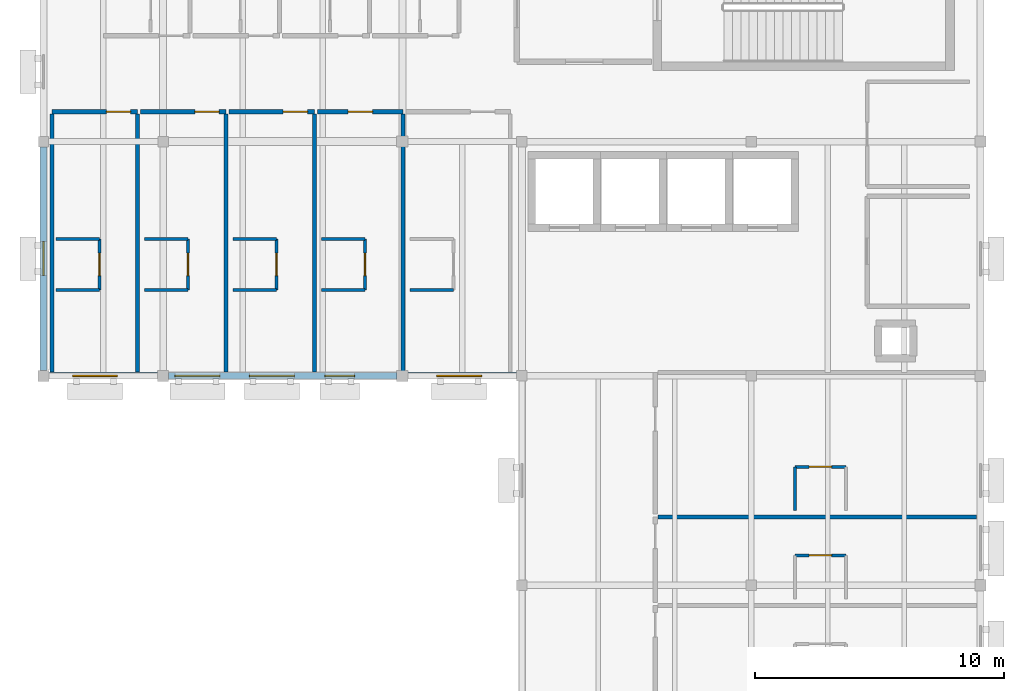
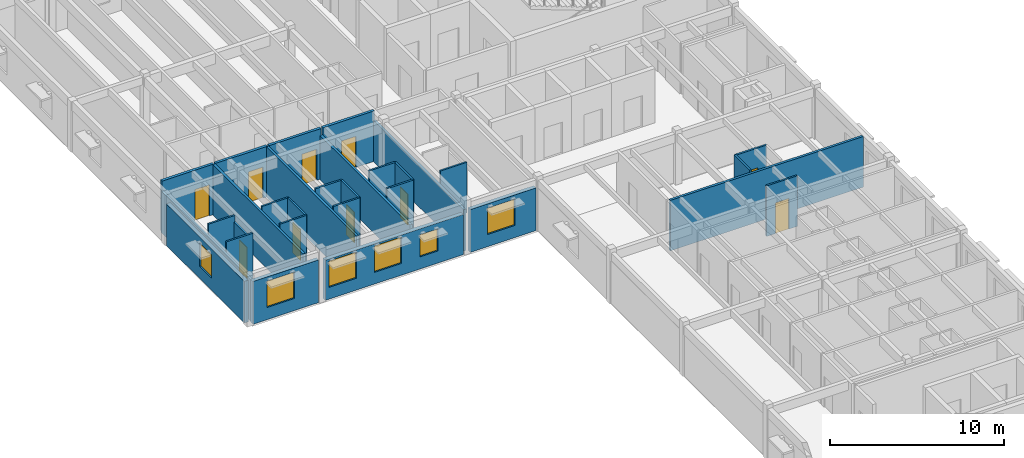
# One storey, part 7 of 14: 30 walls, 10 doors, 6 windows, 16 openings.
"""IFC4 building model written with IfcOpenShell, lengths in metres."""

from ifc_helpers import new_model, si_unit, direction, frame, frame_2d, origin, place, context, subcontext, project, spatial, rectangle, extrude, material, layer, layer_set, type_object, element, fill, save


model = new_model("IFC4")

# Units and contexts
model_context = context("Model", 3, precision=1e-05, world=origin(), true_north=direction((0.0, 1.0)))
body_context = subcontext(model_context, "Body", "Model", "MODEL_VIEW")
ifc_project = project(units=[si_unit("LENGTHUNIT", "METRE"), si_unit("AREAUNIT", "SQUARE_METRE"), si_unit("VOLUMEUNIT", "CUBIC_METRE"), si_unit("PLANEANGLEUNIT", "RADIAN"), si_unit("MASSUNIT", "GRAM", prefix="KILO")], contexts=[model_context])

# Site, building, storey
site_placement = place(None, origin())
site = spatial("IfcSite", under=ifc_project, at=site_placement, CompositionType="ELEMENT")
building_placement = place(site_placement, origin())
building = spatial("IfcBuilding", under=site, at=building_placement, Name="Veldera Park Congress Hotel", CompositionType="ELEMENT")
storey_placement = place(building_placement, frame((0.0, 0.0, 42.800048828125)))
storey = spatial("IfcBuildingStorey", under=building, at=storey_placement, Name="L10", CompositionType="ELEMENT", Elevation=42.800048828125)

# Wall, opening, window
ifc_material_1 = material(Name="Cross-laminated timber CLT V2M1.1", Category="wood")
ifc_layer_1 = layer(ifc_material_1, 0.264892578125)
ifc_layer_set_1 = layer_set([ifc_layer_1], Name="Cross-laminated timber CLT V2M1.1")
wall_type_1 = type_object("IfcWallType", Name="EW-CLT265", PredefinedType="STANDARD", material=ifc_layer_set_1)
wall_1_placement = place(storey_placement, frame((46.39990234375, 36.19189453125, 0.0), z_axis=(0.0, 0.0, 1.0), x_axis=(0.0, -1.0, 0.0)))
wall_1 = element("IfcWall", 1, at=wall_1_placement, inside=storey, type_object=wall_type_1, Name="L10 Exterior Wall EW3-L10-0439", PredefinedType="STANDARD", context=body_context, shape_type="SweptSolid", body=[
    extrude(rectangle(XDim=8.968994140625, YDim=0.264892578125, at=frame_2d((4.484375, 0.0))), origin(), (0.0, 0.0, 1.0), 2.9150390625),
])
opening_1_placement = place(wall_1_placement, frame((3.8095703125, 0.0, 0.85009765625)))
opening_1 = element("IfcOpeningElement", 2, at=opening_1_placement, cuts=wall_1, Name="Opening WIN-1350", PredefinedType="OPENING", context=body_context, shape_type="SweptSolid", body=[
    extrude(rectangle(XDim=1.35009765625, YDim=1.64990234375, at=frame_2d((0.675048828125, 0.824951171875))), frame((0.0, 0.14453125, 0.0), z_axis=(0.0, -1.0, 0.0), x_axis=(1.0, 0.0, 0.0)), (0.0, 0.0, 1.0), 0.288818359375),
])
ifc_material_2 = material(Name="Low-E Triple Insulating Glass Unit (SHGC 0.22)", Category="glass")
window_type_1 = type_object("IfcWindowType", Name="WIN-1350", PartitioningType="SINGLE_PANEL", PredefinedType="WINDOW", material=ifc_material_2)
window_1_placement = place(opening_1_placement, origin())
window_1 = element("IfcWindow", 3, at=window_1_placement, inside=storey, type_object=window_type_1, Name="L10 Window WIN-1350 337", OverallHeight=1.64990234375, OverallWidth=1.35009765625, PartitioningType="SINGLE_PANEL", PredefinedType="WINDOW", context=body_context, shape_type="SweptSolid", body=[
    extrude(rectangle(XDim=1.35009765625, YDim=1.64990234375, at=frame_2d((0.675048828125, 0.824951171875))), frame((0.0, 0.030029296875, 0.0), z_axis=(0.0, -1.0, 0.0), x_axis=(1.0, 0.0, 0.0)), (0.0, 0.0, 1.0), 0.06005859375),
])
fill(opening_1, window_1)

wall_2_placement = place(storey_placement, frame((46.623046875, 27.0, 0.0), z_axis=(0.0, 0.0, 1.0), x_axis=(1.0, 0.0, 0.0)))
wall_2 = element("IfcWall", 4, at=wall_2_placement, inside=storey, type_object=wall_type_1, Name="L10 Exterior Wall EW3-L10-0440", PredefinedType="STANDARD", context=body_context, shape_type="SweptSolid", body=[
    extrude(rectangle(XDim=4.35400390625, YDim=0.264892578125, at=frame_2d((2.177001953125, 0.0))), origin(), (0.0, 0.0, 1.0), 2.994873046875),
])
opening_2_placement = place(wall_2_placement, frame((0.94189453125, 0.0, 0.85009765625)))
opening_2 = element("IfcOpeningElement", 5, at=opening_2_placement, cuts=wall_2, Name="Opening WIN-1800", PredefinedType="OPENING", context=body_context, shape_type="SweptSolid", body=[
    extrude(rectangle(XDim=1.800048828125, YDim=1.85009765625, at=frame_2d((0.89990234375, 0.925048828125))), frame((0.0, 0.14453125, 0.0), z_axis=(0.0, -1.0, 0.0), x_axis=(1.0, 0.0, 0.0)), (0.0, 0.0, 1.0), 0.288818359375),
])
window_type_2 = type_object("IfcWindowType", Name="WIN-1800", PartitioningType="SINGLE_PANEL", PredefinedType="WINDOW", material=ifc_material_2)
window_2_placement = place(opening_2_placement, origin())
window_2 = element("IfcWindow", 6, at=window_2_placement, inside=storey, type_object=window_type_2, Name="L10 Window WIN-1800 587", OverallHeight=1.85009765625, OverallWidth=1.800048828125, PartitioningType="SINGLE_PANEL", PredefinedType="WINDOW", context=body_context, shape_type="SweptSolid", body=[
    extrude(rectangle(XDim=1.800048828125, YDim=1.85009765625, at=frame_2d((0.89990234375, 0.925048828125))), frame((0.0, 0.030029296875, 0.0), z_axis=(0.0, -1.0, 0.0), x_axis=(1.0, 0.0, 0.0)), (0.0, 0.0, 1.0), 0.06005859375),
])
fill(opening_2, window_2)

# Wall, openings, windows
wall_3_placement = place(storey_placement, frame((51.423095703125, 27.0, 0.0), z_axis=(0.0, 0.0, 1.0), x_axis=(1.0, 0.0, 0.0)))
wall_3 = element("IfcWall", 7, at=wall_3_placement, inside=storey, type_object=wall_type_1, Name="L10 Exterior Wall EW3-L10-0441", PredefinedType="STANDARD", context=body_context, shape_type="SweptSolid", body=[
    extrude(rectangle(XDim=9.15380859375, YDim=0.264892578125, at=frame_2d((4.576904296875, 0.0))), origin(), (0.0, 0.0, 1.0), 2.81494140625),
])
opening_3_placement = place(wall_3_placement, frame((6.265380859375, 0.0, 0.85009765625)))
opening_3 = element("IfcOpeningElement", 8, at=opening_3_placement, cuts=wall_3, Name="Opening WIN-1200", PredefinedType="OPENING", context=body_context, shape_type="SweptSolid", body=[
    extrude(rectangle(XDim=1.199951171875, YDim=1.550048828125, at=frame_2d((0.60009765625, 0.77490234375))), frame((0.0, 0.14453125, 0.0), z_axis=(0.0, -1.0, 0.0), x_axis=(1.0, 0.0, 0.0)), (0.0, 0.0, 1.0), 0.288818359375),
])
opening_4_placement = place(wall_3_placement, frame((0.25341796875, 0.0, 0.824951171875)))
opening_4 = element("IfcOpeningElement", 9, at=opening_4_placement, cuts=wall_3, Name="Opening WIN-1800", PredefinedType="OPENING", context=body_context, shape_type="SweptSolid", body=[
    extrude(rectangle(XDim=1.800048828125, YDim=1.85009765625, at=frame_2d((0.89990234375, 0.925048828125))), frame((0.0, 0.14453125, 0.0), z_axis=(0.0, -1.0, 0.0), x_axis=(1.0, 0.0, 0.0)), (0.0, 0.0, 1.0), 0.288818359375),
])
opening_5_placement = place(wall_3_placement, frame((3.241943359375, 0.0, 0.824951171875)))
opening_5 = element("IfcOpeningElement", 10, at=opening_5_placement, cuts=wall_3, Name="Opening WIN-1800", PredefinedType="OPENING", context=body_context, shape_type="SweptSolid", body=[
    extrude(rectangle(XDim=1.800048828125, YDim=1.85009765625, at=frame_2d((0.89990234375, 0.925048828125))), frame((0.0, 0.14453125, 0.0), z_axis=(0.0, -1.0, 0.0), x_axis=(1.0, 0.0, 0.0)), (0.0, 0.0, 1.0), 0.288818359375),
])
window_type_3 = type_object("IfcWindowType", Name="WIN-1200", PartitioningType="SINGLE_PANEL", PredefinedType="WINDOW", material=ifc_material_2)
window_3_placement = place(opening_3_placement, origin())
window_3 = element("IfcWindow", 11, at=window_3_placement, inside=storey, type_object=window_type_3, Name="L10 Window WIN-1200 338", OverallHeight=1.550048828125, OverallWidth=1.199951171875, PartitioningType="SINGLE_PANEL", PredefinedType="WINDOW", context=body_context, shape_type="SweptSolid", body=[
    extrude(rectangle(XDim=1.199951171875, YDim=1.550048828125, at=frame_2d((0.60009765625, 0.77490234375))), frame((0.0, 0.030029296875, 0.0), z_axis=(0.0, -1.0, 0.0), x_axis=(1.0, 0.0, 0.0)), (0.0, 0.0, 1.0), 0.06005859375),
])
fill(opening_3, window_3)
window_4_placement = place(opening_4_placement, origin())
window_4 = element("IfcWindow", 12, at=window_4_placement, inside=storey, type_object=window_type_2, Name="L10 Window WIN-1800 588", OverallHeight=1.85009765625, OverallWidth=1.800048828125, PartitioningType="SINGLE_PANEL", PredefinedType="WINDOW", context=body_context, shape_type="SweptSolid", body=[
    extrude(rectangle(XDim=1.800048828125, YDim=1.85009765625, at=frame_2d((0.89990234375, 0.925048828125))), frame((0.0, 0.030029296875, 0.0), z_axis=(0.0, -1.0, 0.0), x_axis=(1.0, 0.0, 0.0)), (0.0, 0.0, 1.0), 0.06005859375),
])
fill(opening_4, window_4)
window_5_placement = place(opening_5_placement, origin())
window_5 = element("IfcWindow", 13, at=window_5_placement, inside=storey, type_object=window_type_2, Name="L10 Window WIN-1800 589", OverallHeight=1.85009765625, OverallWidth=1.800048828125, PartitioningType="SINGLE_PANEL", PredefinedType="WINDOW", context=body_context, shape_type="SweptSolid", body=[
    extrude(rectangle(XDim=1.800048828125, YDim=1.85009765625, at=frame_2d((0.89990234375, 0.925048828125))), frame((0.0, 0.030029296875, 0.0), z_axis=(0.0, -1.0, 0.0), x_axis=(1.0, 0.0, 0.0)), (0.0, 0.0, 1.0), 0.06005859375),
])
fill(opening_5, window_5)

# Wall, opening, window
wall_4_placement = place(storey_placement, frame((61.02294921875, 27.0, 0.0), z_axis=(0.0, 0.0, 1.0), x_axis=(1.0, 0.0, 0.0)))
wall_4 = element("IfcWall", 14, at=wall_4_placement, inside=storey, type_object=wall_type_1, Name="L10 Exterior Wall EW3-L10-0442", PredefinedType="STANDARD", context=body_context, shape_type="SweptSolid", body=[
    extrude(rectangle(XDim=4.369140625, YDim=0.264892578125, at=frame_2d((2.1845703125, 0.0))), origin(), (0.0, 0.0, 1.0), 2.994873046875),
])
opening_6_placement = place(wall_4_placement, frame((1.153564453125, 0.0, 0.85009765625)))
opening_6 = element("IfcOpeningElement", 15, at=opening_6_placement, cuts=wall_4, Name="Opening WIN-1800", PredefinedType="OPENING", context=body_context, shape_type="SweptSolid", body=[
    extrude(rectangle(XDim=1.800048828125, YDim=1.85009765625, at=frame_2d((0.89990234375, 0.925048828125))), frame((0.0, 0.14453125, 0.0), z_axis=(0.0, -1.0, 0.0), x_axis=(1.0, 0.0, 0.0)), (0.0, 0.0, 1.0), 0.288818359375),
])
window_6_placement = place(opening_6_placement, origin())
window_6 = element("IfcWindow", 16, at=window_6_placement, inside=storey, type_object=window_type_2, Name="L10 Window WIN-1800 590", OverallHeight=1.85009765625, OverallWidth=1.800048828125, PartitioningType="SINGLE_PANEL", PredefinedType="WINDOW", context=body_context, shape_type="SweptSolid", body=[
    extrude(rectangle(XDim=1.800048828125, YDim=1.85009765625, at=frame_2d((0.89990234375, 0.925048828125))), frame((0.0, 0.030029296875, 0.0), z_axis=(0.0, -1.0, 0.0), x_axis=(1.0, 0.0, 0.0)), (0.0, 0.0, 1.0), 0.06005859375),
])
fill(opening_6, window_6)

# Wall, opening, door
ifc_material_3 = material(Name="Fire-Rated Gypsum Board on Cold-Formed Steel Studs", Category="steel")
ifc_layer_2 = layer(ifc_material_3, 0.1201171875)
ifc_layer_set_2 = layer_set([ifc_layer_2], Name="Fire-Rated Gypsum Board on Cold-Formed Steel Studs")
wall_type_2 = type_object("IfcWallType", Name="IW-BATH120", PredefinedType="PARTITIONING", material=ifc_layer_set_2)
wall_5_placement = place(storey_placement, frame((76.550048828125, 19.800048828125, 0.0), z_axis=(0.0, 0.0, 1.0), x_axis=(1.0, 0.0, 0.0)))
wall_5 = element("IfcWall", 17, at=wall_5_placement, inside=storey, type_object=wall_type_2, Name="L10 Partition Wall IW3-L10-01734", PredefinedType="PARTITIONING", context=body_context, shape_type="SweptSolid", body=[
    extrude(rectangle(XDim=2.050048828125, YDim=0.1201171875, at=frame_2d((1.02490234375, 0.0))), origin(), (0.0, 0.0, 1.0), 3.5400390625),
])
opening_7_placement = place(wall_5_placement, frame((0.574951171875, 0.0, 0.0)))
opening_7 = element("IfcOpeningElement", 18, at=opening_7_placement, cuts=wall_5, Name="Opening ID-BATH090", PredefinedType="OPENING", context=body_context, shape_type="SweptSolid", body=[
    extrude(rectangle(XDim=0.89990234375, YDim=2.14990234375, at=frame_2d((0.449951171875, 1.074951171875))), frame((0.0, 0.072021484375, 0.0), z_axis=(0.0, -1.0, 0.0), x_axis=(1.0, 0.0, 0.0)), (0.0, 0.0, 1.0), 0.14404296875),
])
ifc_material_4 = material(Name="Solid Core White Oak Architectural Door", Category="wood")
door_type_1 = type_object("IfcDoorType", Name="ID-BATH090", OperationType="NOTDEFINED", PredefinedType="DOOR", material=ifc_material_4)
door_1_placement = place(opening_7_placement, origin())
door_1 = element("IfcDoor", 19, at=door_1_placement, inside=storey, type_object=door_type_1, Name="L10 En-suite 286 Door ID3-L10-0711 (DR3-ID3-L10-0711)", OperationType="SINGLE_SWING_LEFT", OverallHeight=2.14990234375, OverallWidth=0.89990234375, PredefinedType="DOOR", context=body_context, shape_type="SweptSolid", body=[
    extrude(rectangle(XDim=0.89990234375, YDim=2.14990234375, at=frame_2d((0.449951171875, 1.074951171875))), frame((0.0, 0.02490234375, 0.0), z_axis=(0.0, -1.0, 0.0), x_axis=(1.0, 0.0, 0.0)), (0.0, 0.0, 1.0), 0.050048828125),
])
fill(opening_7, door_1)

# Wall
wall_6_placement = place(storey_placement, frame((76.550048828125, 21.60009765625, 0.0), z_axis=(0.0, 0.0, 1.0), x_axis=(0.0, 1.0, 0.0)))
element("IfcWall", 20, at=wall_6_placement, inside=storey, type_object=wall_type_2, Name="L10 Partition Wall IW3-L10-01737", PredefinedType="PARTITIONING", context=body_context, shape_type="SweptSolid", body=[
    extrude(rectangle(XDim=1.75, YDim=0.1201171875, at=frame_2d((0.875, 0.0))), origin(), (0.0, 0.0, 1.0), 3.5400390625),
])

# Wall, opening, door
wall_7_placement = place(storey_placement, frame((76.550048828125, 23.35009765625, 0.0), z_axis=(0.0, 0.0, 1.0), x_axis=(1.0, 0.0, 0.0)))
wall_7 = element("IfcWall", 21, at=wall_7_placement, inside=storey, type_object=wall_type_2, Name="L10 Partition Wall IW3-L10-01739", PredefinedType="PARTITIONING", context=body_context, shape_type="SweptSolid", body=[
    extrude(rectangle(XDim=2.050048828125, YDim=0.1201171875, at=frame_2d((1.02490234375, 0.0))), origin(), (0.0, 0.0, 1.0), 3.5400390625),
])
opening_8_placement = place(wall_7_placement, frame((0.574951171875, 0.0, 0.0)))
opening_8 = element("IfcOpeningElement", 22, at=opening_8_placement, cuts=wall_7, Name="Opening ID-BATH090", PredefinedType="OPENING", context=body_context, shape_type="SweptSolid", body=[
    extrude(rectangle(XDim=0.89990234375, YDim=2.14990234375, at=frame_2d((0.449951171875, 1.074951171875))), frame((0.0, 0.072021484375, 0.0), z_axis=(0.0, -1.0, 0.0), x_axis=(1.0, 0.0, 0.0)), (0.0, 0.0, 1.0), 0.14404296875),
])
door_2_placement = place(opening_8_placement, origin())
door_2 = element("IfcDoor", 23, at=door_2_placement, inside=storey, type_object=door_type_1, Name="L10 En-suite 287 Door ID3-L10-0713 (DR3-ID3-L10-0713)", OperationType="SINGLE_SWING_LEFT", OverallHeight=2.14990234375, OverallWidth=0.89990234375, PredefinedType="DOOR", context=body_context, shape_type="SweptSolid", body=[
    extrude(rectangle(XDim=0.89990234375, YDim=2.14990234375, at=frame_2d((0.449951171875, 1.074951171875))), frame((0.0, 0.02490234375, 0.0), z_axis=(0.0, -1.0, 0.0), x_axis=(1.0, 0.0, 0.0)), (0.0, 0.0, 1.0), 0.050048828125),
])
fill(opening_8, door_2)

# Wall
wall_8_placement = place(storey_placement, frame((46.89990234375, 32.5, 0.0), z_axis=(0.0, 0.0, 1.0), x_axis=(1.0, 0.0, 0.0)))
element("IfcWall", 24, at=wall_8_placement, inside=storey, type_object=wall_type_2, Name="L10 Partition Wall IW3-L10-01743", PredefinedType="PARTITIONING", context=body_context, shape_type="SweptSolid", body=[
    extrude(rectangle(XDim=1.75, YDim=0.1201171875, at=frame_2d((0.875, 0.0))), origin(), (0.0, 0.0, 1.0), 3.5400390625),
])

# Wall, opening, door
wall_9_placement = place(storey_placement, frame((48.64990234375, 30.449951171875, 0.0), z_axis=(0.0, 0.0, 1.0), x_axis=(0.0, 1.0, 0.0)))
wall_9 = element("IfcWall", 25, at=wall_9_placement, inside=storey, type_object=wall_type_2, Name="L10 Partition Wall IW3-L10-01744", PredefinedType="PARTITIONING", context=body_context, shape_type="SweptSolid", body=[
    extrude(rectangle(XDim=2.050048828125, YDim=0.1201171875, at=frame_2d((1.02490234375, 0.0))), origin(), (0.0, 0.0, 1.0), 3.0849609375),
])
opening_9_placement = place(wall_9_placement, frame((0.574951171875, 0.0, 0.0)))
opening_9 = element("IfcOpeningElement", 26, at=opening_9_placement, cuts=wall_9, Name="Opening ID-BATH090", PredefinedType="OPENING", context=body_context, shape_type="SweptSolid", body=[
    extrude(rectangle(XDim=0.89990234375, YDim=2.14990234375, at=frame_2d((0.449951171875, 1.074951171875))), frame((0.0, 0.072021484375, 0.0), z_axis=(0.0, -1.0, 0.0), x_axis=(1.0, 0.0, 0.0)), (0.0, 0.0, 1.0), 0.14404296875),
])
door_3_placement = place(opening_9_placement, origin())
door_3 = element("IfcDoor", 27, at=door_3_placement, inside=storey, type_object=door_type_1, Name="L10 En-suite 288 Door ID3-L10-0715 (DR3-ID3-L10-0715)", OperationType="SINGLE_SWING_LEFT", OverallHeight=2.14990234375, OverallWidth=0.89990234375, PredefinedType="DOOR", context=body_context, shape_type="SweptSolid", body=[
    extrude(rectangle(XDim=0.89990234375, YDim=2.14990234375, at=frame_2d((0.449951171875, 1.074951171875))), frame((0.0, 0.02490234375, 0.0), z_axis=(0.0, -1.0, 0.0), x_axis=(1.0, 0.0, 0.0)), (0.0, 0.0, 1.0), 0.050048828125),
])
fill(opening_9, door_3)

# Walls
for number, where, z_axis, x_axis, name in (
    (28, (46.89990234375, 30.449951171875, 0.0), (0.0, 0.0, 1.0), (1.0, 0.0, 0.0), "L10 Partition Wall IW3-L10-01745"),
    (29, (50.449951171875, 32.5, 0.0), (0.0, 0.0, 1.0), (1.0, 0.0, 0.0), "L10 Partition Wall IW3-L10-01748"),
):
    element("IfcWall", number, at=place(storey_placement, frame(where, z_axis=z_axis, x_axis=x_axis)), inside=storey, type_object=wall_type_2, Name=name, PredefinedType="PARTITIONING", context=body_context, shape_type="SweptSolid", body=[
        extrude(rectangle(XDim=1.75, YDim=0.1201171875, at=frame_2d((0.875, 0.0))), origin(), (0.0, 0.0, 1.0), 3.5400390625),
    ])

# Wall, opening, door
wall_10_placement = place(storey_placement, frame((52.199951171875, 30.449951171875, 0.0), z_axis=(0.0, 0.0, 1.0), x_axis=(0.0, 1.0, 0.0)))
wall_10 = element("IfcWall", 30, at=wall_10_placement, inside=storey, type_object=wall_type_2, Name="L10 Partition Wall IW3-L10-01749", PredefinedType="PARTITIONING", context=body_context, shape_type="SweptSolid", body=[
    extrude(rectangle(XDim=2.050048828125, YDim=0.1201171875, at=frame_2d((1.02490234375, 0.0))), origin(), (0.0, 0.0, 1.0), 3.5400390625),
])
opening_10_placement = place(wall_10_placement, frame((0.574951171875, 0.0, 0.0)))
opening_10 = element("IfcOpeningElement", 31, at=opening_10_placement, cuts=wall_10, Name="Opening ID-BATH090", PredefinedType="OPENING", context=body_context, shape_type="SweptSolid", body=[
    extrude(rectangle(XDim=0.89990234375, YDim=2.14990234375, at=frame_2d((0.449951171875, 1.074951171875))), frame((0.0, 0.072021484375, 0.0), z_axis=(0.0, -1.0, 0.0), x_axis=(1.0, 0.0, 0.0)), (0.0, 0.0, 1.0), 0.14404296875),
])
door_4_placement = place(opening_10_placement, origin())
door_4 = element("IfcDoor", 32, at=door_4_placement, inside=storey, type_object=door_type_1, Name="L10 En-suite 289 Door ID3-L10-0717 (DR3-ID3-L10-0717)", OperationType="SINGLE_SWING_LEFT", OverallHeight=2.14990234375, OverallWidth=0.89990234375, PredefinedType="DOOR", context=body_context, shape_type="SweptSolid", body=[
    extrude(rectangle(XDim=0.89990234375, YDim=2.14990234375, at=frame_2d((0.449951171875, 1.074951171875))), frame((0.0, 0.02490234375, 0.0), z_axis=(0.0, -1.0, 0.0), x_axis=(1.0, 0.0, 0.0)), (0.0, 0.0, 1.0), 0.050048828125),
])
fill(opening_10, door_4)

# Walls
for number, where, z_axis, x_axis, name in (
    (33, (50.449951171875, 30.449951171875, 0.0), (0.0, 0.0, 1.0), (1.0, 0.0, 0.0), "L10 Partition Wall IW3-L10-01750"),
    (34, (54.0, 32.5, 0.0), (0.0, 0.0, 1.0), (1.0, 0.0, 0.0), "L10 Partition Wall IW3-L10-01753"),
):
    element("IfcWall", number, at=place(storey_placement, frame(where, z_axis=z_axis, x_axis=x_axis)), inside=storey, type_object=wall_type_2, Name=name, PredefinedType="PARTITIONING", context=body_context, shape_type="SweptSolid", body=[
        extrude(rectangle(XDim=1.75, YDim=0.1201171875, at=frame_2d((0.875, 0.0))), origin(), (0.0, 0.0, 1.0), 3.5400390625),
    ])

# Wall, opening, door
wall_11_placement = place(storey_placement, frame((55.75, 30.449951171875, 0.0), z_axis=(0.0, 0.0, 1.0), x_axis=(0.0, 1.0, 0.0)))
wall_11 = element("IfcWall", 35, at=wall_11_placement, inside=storey, type_object=wall_type_2, Name="L10 Partition Wall IW3-L10-01754", PredefinedType="PARTITIONING", context=body_context, shape_type="SweptSolid", body=[
    extrude(rectangle(XDim=2.050048828125, YDim=0.1201171875, at=frame_2d((1.02490234375, 0.0))), origin(), (0.0, 0.0, 1.0), 3.5400390625),
])
opening_11_placement = place(wall_11_placement, frame((0.574951171875, 0.0, 0.0)))
opening_11 = element("IfcOpeningElement", 36, at=opening_11_placement, cuts=wall_11, Name="Opening ID-BATH090", PredefinedType="OPENING", context=body_context, shape_type="SweptSolid", body=[
    extrude(rectangle(XDim=0.89990234375, YDim=2.14990234375, at=frame_2d((0.449951171875, 1.074951171875))), frame((0.0, 0.072021484375, 0.0), z_axis=(0.0, -1.0, 0.0), x_axis=(1.0, 0.0, 0.0)), (0.0, 0.0, 1.0), 0.14404296875),
])
door_5_placement = place(opening_11_placement, origin())
door_5 = element("IfcDoor", 37, at=door_5_placement, inside=storey, type_object=door_type_1, Name="L10 En-suite 290 Door ID3-L10-0719 (DR3-ID3-L10-0719)", OperationType="SINGLE_SWING_LEFT", OverallHeight=2.14990234375, OverallWidth=0.89990234375, PredefinedType="DOOR", context=body_context, shape_type="SweptSolid", body=[
    extrude(rectangle(XDim=0.89990234375, YDim=2.14990234375, at=frame_2d((0.449951171875, 1.074951171875))), frame((0.0, 0.02490234375, 0.0), z_axis=(0.0, -1.0, 0.0), x_axis=(1.0, 0.0, 0.0)), (0.0, 0.0, 1.0), 0.050048828125),
])
fill(opening_11, door_5)

# Walls
for number, where, z_axis, x_axis, name in (
    (38, (54.0, 30.449951171875, 0.0), (0.0, 0.0, 1.0), (1.0, 0.0, 0.0), "L10 Partition Wall IW3-L10-01755"),
    (39, (57.550048828125, 32.5, 0.0), (0.0, 0.0, 1.0), (1.0, 0.0, 0.0), "L10 Partition Wall IW3-L10-01758"),
):
    element("IfcWall", number, at=place(storey_placement, frame(where, z_axis=z_axis, x_axis=x_axis)), inside=storey, type_object=wall_type_2, Name=name, PredefinedType="PARTITIONING", context=body_context, shape_type="SweptSolid", body=[
        extrude(rectangle(XDim=1.75, YDim=0.1201171875, at=frame_2d((0.875, 0.0))), origin(), (0.0, 0.0, 1.0), 3.5400390625),
    ])

# Wall, opening, door
wall_12_placement = place(storey_placement, frame((59.300048828125, 30.449951171875, 0.0), z_axis=(0.0, 0.0, 1.0), x_axis=(0.0, 1.0, 0.0)))
wall_12 = element("IfcWall", 40, at=wall_12_placement, inside=storey, type_object=wall_type_2, Name="L10 Partition Wall IW3-L10-01759", PredefinedType="PARTITIONING", context=body_context, shape_type="SweptSolid", body=[
    extrude(rectangle(XDim=2.050048828125, YDim=0.1201171875, at=frame_2d((1.02490234375, 0.0))), origin(), (0.0, 0.0, 1.0), 3.5400390625),
])
opening_12_placement = place(wall_12_placement, frame((0.574951171875, 0.0, 0.0)))
opening_12 = element("IfcOpeningElement", 41, at=opening_12_placement, cuts=wall_12, Name="Opening ID-BATH090", PredefinedType="OPENING", context=body_context, shape_type="SweptSolid", body=[
    extrude(rectangle(XDim=0.89990234375, YDim=2.14990234375, at=frame_2d((0.449951171875, 1.074951171875))), frame((0.0, 0.072021484375, 0.0), z_axis=(0.0, -1.0, 0.0), x_axis=(1.0, 0.0, 0.0)), (0.0, 0.0, 1.0), 0.14404296875),
])
door_6_placement = place(opening_12_placement, origin())
door_6 = element("IfcDoor", 42, at=door_6_placement, inside=storey, type_object=door_type_1, Name="L10 En-suite 291 Door ID3-L10-0721 (DR3-ID3-L10-0721)", OperationType="SINGLE_SWING_LEFT", OverallHeight=2.14990234375, OverallWidth=0.89990234375, PredefinedType="DOOR", context=body_context, shape_type="SweptSolid", body=[
    extrude(rectangle(XDim=0.89990234375, YDim=2.14990234375, at=frame_2d((0.449951171875, 1.074951171875))), frame((0.0, 0.02490234375, 0.0), z_axis=(0.0, -1.0, 0.0), x_axis=(1.0, 0.0, 0.0)), (0.0, 0.0, 1.0), 0.050048828125),
])
fill(opening_12, door_6)

# Walls
for number, where, z_axis, x_axis, name in (
    (43, (57.550048828125, 30.449951171875, 0.0), (0.0, 0.0, 1.0), (1.0, 0.0, 0.0), "L10 Partition Wall IW3-L10-01760"),
    (44, (61.10009765625, 30.449951171875, 0.0), (0.0, 0.0, 1.0), (1.0, 0.0, 0.0), "L10 Partition Wall IW3-L10-01765"),
):
    element("IfcWall", number, at=place(storey_placement, frame(where, z_axis=z_axis, x_axis=x_axis)), inside=storey, type_object=wall_type_2, Name=name, PredefinedType="PARTITIONING", context=body_context, shape_type="SweptSolid", body=[
        extrude(rectangle(XDim=1.75, YDim=0.1201171875, at=frame_2d((0.875, 0.0))), origin(), (0.0, 0.0, 1.0), 3.5400390625),
    ])

# Wall, opening, door
ifc_layer_3 = layer(ifc_material_3, 0.179931640625)
ifc_layer_set_3 = layer_set([ifc_layer_3], Name="Fire-Rated Gypsum Board on Cold-Formed Steel Studs")
wall_type_3 = type_object("IfcWallType", Name="IW-CORR180", PredefinedType="PARTITIONING", material=ifc_layer_set_3)
wall_13_placement = place(storey_placement, frame((50.179931640625, 37.60009765625, 0.0), z_axis=(0.0, 0.0, 1.0), x_axis=(-1.0, 0.0, 0.0)))
wall_13 = element("IfcWall", 45, at=wall_13_placement, inside=storey, type_object=wall_type_3, Name="L10 Corridor Wall IW3-L10-01740", PredefinedType="PARTITIONING", context=body_context, shape_type="SweptSolid", body=[
    extrude(rectangle(XDim=3.429931640625, YDim=0.179931640625, at=frame_2d((1.71484375, 0.0))), origin(), (0.0, 0.0, 1.0), 3.5400390625),
])
opening_13_placement = place(wall_13_placement, frame((0.280029296875, 0.0, 0.0)))
opening_13 = element("IfcOpeningElement", 46, at=opening_13_placement, cuts=wall_13, Name="Opening ID-UNIT098", PredefinedType="OPENING", context=body_context, shape_type="SweptSolid", body=[
    extrude(rectangle(XDim=0.97998046875, YDim=2.179931640625, at=frame_2d((0.489990234375, 1.08984375))), frame((0.0, 0.10205078125, 0.0), z_axis=(0.0, -1.0, 0.0), x_axis=(1.0, 0.0, 0.0)), (0.0, 0.0, 1.0), 0.203857421875),
])
door_type_2 = type_object("IfcDoorType", Name="ID-UNIT098", OperationType="NOTDEFINED", PredefinedType="DOOR", material=ifc_material_4)
door_7_placement = place(opening_13_placement, frame((0.97998046875, 0.0, 0.0), z_axis=(0.0, 0.0, 1.0), x_axis=(-1.0, 0.0, 0.0)))
door_7 = element("IfcDoor", 47, at=door_7_placement, inside=storey, type_object=door_type_2, Name="L10 Guestroom 288 Entry Door (DR3-UD3-L10-288)", OperationType="SINGLE_SWING_RIGHT", OverallHeight=2.179931640625, OverallWidth=0.97998046875, PredefinedType="DOOR", context=body_context, shape_type="SweptSolid", body=[
    extrude(rectangle(XDim=0.97998046875, YDim=2.179931640625, at=frame_2d((0.489990234375, 1.08984375))), frame((0.0, 0.02490234375, 0.0), z_axis=(0.0, -1.0, 0.0), x_axis=(1.0, 0.0, 0.0)), (0.0, 0.0, 1.0), 0.050048828125),
])
fill(opening_13, door_7)

wall_14_placement = place(storey_placement, frame((53.72998046875, 37.60009765625, 0.0), z_axis=(0.0, 0.0, 1.0), x_axis=(-1.0, 0.0, 0.0)))
wall_14 = element("IfcWall", 48, at=wall_14_placement, inside=storey, type_object=wall_type_3, Name="L10 Corridor Wall IW3-L10-01746", PredefinedType="PARTITIONING", context=body_context, shape_type="SweptSolid", body=[
    extrude(rectangle(XDim=3.429931640625, YDim=0.179931640625, at=frame_2d((1.71484375, 0.0))), origin(), (0.0, 0.0, 1.0), 3.5400390625),
])
opening_14_placement = place(wall_14_placement, frame((0.280029296875, 0.0, 0.0)))
opening_14 = element("IfcOpeningElement", 49, at=opening_14_placement, cuts=wall_14, Name="Opening ID-UNIT098", PredefinedType="OPENING", context=body_context, shape_type="SweptSolid", body=[
    extrude(rectangle(XDim=0.97998046875, YDim=2.179931640625, at=frame_2d((0.489990234375, 1.08984375))), frame((0.0, 0.10205078125, 0.0), z_axis=(0.0, -1.0, 0.0), x_axis=(1.0, 0.0, 0.0)), (0.0, 0.0, 1.0), 0.203857421875),
])
door_8_placement = place(opening_14_placement, frame((0.97998046875, 0.0, 0.0), z_axis=(0.0, 0.0, 1.0), x_axis=(-1.0, 0.0, 0.0)))
door_8 = element("IfcDoor", 50, at=door_8_placement, inside=storey, type_object=door_type_2, Name="L10 Guestroom 289 Entry Door (DR3-UD3-L10-289)", OperationType="SINGLE_SWING_RIGHT", OverallHeight=2.179931640625, OverallWidth=0.97998046875, PredefinedType="DOOR", context=body_context, shape_type="SweptSolid", body=[
    extrude(rectangle(XDim=0.97998046875, YDim=2.179931640625, at=frame_2d((0.489990234375, 1.08984375))), frame((0.0, 0.02490234375, 0.0), z_axis=(0.0, -1.0, 0.0), x_axis=(1.0, 0.0, 0.0)), (0.0, 0.0, 1.0), 0.050048828125),
])
fill(opening_14, door_8)

wall_15_placement = place(storey_placement, frame((57.280029296875, 37.60009765625, 0.0), z_axis=(0.0, 0.0, 1.0), x_axis=(-1.0, 0.0, 0.0)))
wall_15 = element("IfcWall", 51, at=wall_15_placement, inside=storey, type_object=wall_type_3, Name="L10 Corridor Wall IW3-L10-01751", PredefinedType="PARTITIONING", context=body_context, shape_type="SweptSolid", body=[
    extrude(rectangle(XDim=3.429931640625, YDim=0.179931640625, at=frame_2d((1.71484375, 0.0))), origin(), (0.0, 0.0, 1.0), 3.5400390625),
])
opening_15_placement = place(wall_15_placement, frame((0.280029296875, 0.0, 0.0)))
opening_15 = element("IfcOpeningElement", 52, at=opening_15_placement, cuts=wall_15, Name="Opening ID-UNIT098", PredefinedType="OPENING", context=body_context, shape_type="SweptSolid", body=[
    extrude(rectangle(XDim=0.97998046875, YDim=2.179931640625, at=frame_2d((0.489990234375, 1.08984375))), frame((0.0, 0.10205078125, 0.0), z_axis=(0.0, -1.0, 0.0), x_axis=(1.0, 0.0, 0.0)), (0.0, 0.0, 1.0), 0.203857421875),
])
door_9_placement = place(opening_15_placement, frame((0.97998046875, 0.0, 0.0), z_axis=(0.0, 0.0, 1.0), x_axis=(-1.0, 0.0, 0.0)))
door_9 = element("IfcDoor", 53, at=door_9_placement, inside=storey, type_object=door_type_2, Name="L10 Guestroom 290 Entry Door (DR3-UD3-L10-290)", OperationType="SINGLE_SWING_RIGHT", OverallHeight=2.179931640625, OverallWidth=0.97998046875, PredefinedType="DOOR", context=body_context, shape_type="SweptSolid", body=[
    extrude(rectangle(XDim=0.97998046875, YDim=2.179931640625, at=frame_2d((0.489990234375, 1.08984375))), frame((0.0, 0.02490234375, 0.0), z_axis=(0.0, -1.0, 0.0), x_axis=(1.0, 0.0, 0.0)), (0.0, 0.0, 1.0), 0.050048828125),
])
fill(opening_15, door_9)

wall_16_placement = place(storey_placement, frame((60.830078125, 37.60009765625, 0.0), z_axis=(0.0, 0.0, 1.0), x_axis=(-1.0, 0.0, 0.0)))
wall_16 = element("IfcWall", 54, at=wall_16_placement, inside=storey, type_object=wall_type_3, Name="L10 Corridor Wall IW3-L10-01756", PredefinedType="PARTITIONING", context=body_context, shape_type="SweptSolid", body=[
    extrude(rectangle(XDim=3.43017578125, YDim=0.179931640625, at=frame_2d((1.715087890625, 0.0))), origin(), (0.0, 0.0, 1.0), 3.5400390625),
])
opening_16_placement = place(wall_16_placement, frame((1.22509765625, 0.0, 0.0)))
opening_16 = element("IfcOpeningElement", 55, at=opening_16_placement, cuts=wall_16, Name="Opening ID-UNIT098", PredefinedType="OPENING", context=body_context, shape_type="SweptSolid", body=[
    extrude(rectangle(XDim=0.97998046875, YDim=2.179931640625, at=frame_2d((0.489990234375, 1.08984375))), frame((0.0, 0.10205078125, 0.0), z_axis=(0.0, -1.0, 0.0), x_axis=(1.0, 0.0, 0.0)), (0.0, 0.0, 1.0), 0.203857421875),
])
door_10_placement = place(opening_16_placement, frame((0.97998046875, 0.0, 0.0), z_axis=(0.0, 0.0, 1.0), x_axis=(-1.0, 0.0, 0.0)))
door_10 = element("IfcDoor", 56, at=door_10_placement, inside=storey, type_object=door_type_2, Name="L10 Guestroom 291 Entry Door (DR3-UD3-L10-291)", OperationType="SINGLE_SWING_RIGHT", OverallHeight=2.179931640625, OverallWidth=0.97998046875, PredefinedType="DOOR", context=body_context, shape_type="SweptSolid", body=[
    extrude(rectangle(XDim=0.97998046875, YDim=2.179931640625, at=frame_2d((0.489990234375, 1.08984375))), frame((0.0, 0.02490234375, 0.0), z_axis=(0.0, -1.0, 0.0), x_axis=(1.0, 0.0, 0.0)), (0.0, 0.0, 1.0), 0.050048828125),
])
fill(opening_16, door_10)

# Walls
ifc_layer_4 = layer(ifc_material_1, 0.159912109375)
ifc_layer_set_4 = layer_set([ifc_layer_4], Name="Cross-laminated timber CLT V2M1.1")
wall_type_4 = type_object("IfcWallType", Name="IW-UNIT160", PredefinedType="PARTITIONING", material=ifc_layer_set_4)
wall_17_placement = place(storey_placement, frame((71.050048828125, 21.330078125, 0.0), z_axis=(0.0, 0.0, 1.0), x_axis=(1.0, 0.0, 0.0)))
element("IfcWall", 57, at=wall_17_placement, inside=storey, type_object=wall_type_4, Name="L10 Partition Wall IW3-L10-01731", PredefinedType="PARTITIONING", context=body_context, shape_type="SweptSolid", body=[
    extrude(rectangle(XDim=12.7900390625, YDim=0.159912109375, at=frame_2d((6.39501953125, 0.0))), origin(), (0.0, 0.0, 1.0), 3.5400390625),
])
wall_18_placement = place(storey_placement, frame((46.75, 27.159912109375, 0.0), z_axis=(0.0, 0.0, 1.0), x_axis=(0.0, 1.0, 0.0)))
element("IfcWall", 58, at=wall_18_placement, inside=storey, type_object=wall_type_4, Name="L10 Partition Wall IW3-L10-01741", PredefinedType="PARTITIONING", context=body_context, shape_type="SweptSolid", body=[
    extrude(rectangle(XDim=10.340087890625, YDim=0.159912109375, at=frame_2d((5.169921875, 0.0))), origin(), (0.0, 0.0, 1.0), 2.89501953125),
])
for number, where, z_axis, x_axis, name in (
    (59, (50.179931640625, 27.159912109375, 0.0), (0.0, 0.0, 1.0), (0.0, 1.0, 0.0), "L10 Partition Wall IW3-L10-01742"),
    (60, (53.72998046875, 27.159912109375, 0.0), (0.0, 0.0, 1.0), (0.0, 1.0, 0.0), "L10 Partition Wall IW3-L10-01747"),
):
    element("IfcWall", number, at=place(storey_placement, frame(where, z_axis=z_axis, x_axis=x_axis)), inside=storey, type_object=wall_type_4, Name=name, PredefinedType="PARTITIONING", context=body_context, shape_type="SweptSolid", body=[
        extrude(rectangle(XDim=10.340087890625, YDim=0.159912109375, at=frame_2d((5.169921875, 0.0))), origin(), (0.0, 0.0, 1.0), 3.5400390625),
    ])
wall_19_placement = place(storey_placement, frame((57.280029296875, 27.159912109375, 0.0), z_axis=(0.0, 0.0, 1.0), x_axis=(0.0, 1.0, 0.0)))
element("IfcWall", 61, at=wall_19_placement, inside=storey, type_object=wall_type_4, Name="L10 Partition Wall IW3-L10-01752", PredefinedType="PARTITIONING", context=body_context, shape_type="SweptSolid", body=[
    extrude(rectangle(XDim=10.340087890625, YDim=0.159912109375, at=frame_2d((5.169921875, 0.0))), origin(), (0.0, 0.0, 1.0), 3.0849609375),
])
wall_20_placement = place(storey_placement, frame((60.830078125, 27.159912109375, 0.0), z_axis=(0.0, 0.0, 1.0), x_axis=(0.0, 1.0, 0.0)))
element("IfcWall", 62, at=wall_20_placement, inside=storey, type_object=wall_type_4, Name="L10 Partition Wall IW3-L10-01757", PredefinedType="PARTITIONING", context=body_context, shape_type="SweptSolid", body=[
    extrude(rectangle(XDim=10.340087890625, YDim=0.159912109375, at=frame_2d((5.169921875, 0.0))), origin(), (0.0, 0.0, 1.0), 2.89501953125),
])

save(model, "model.ifc")
